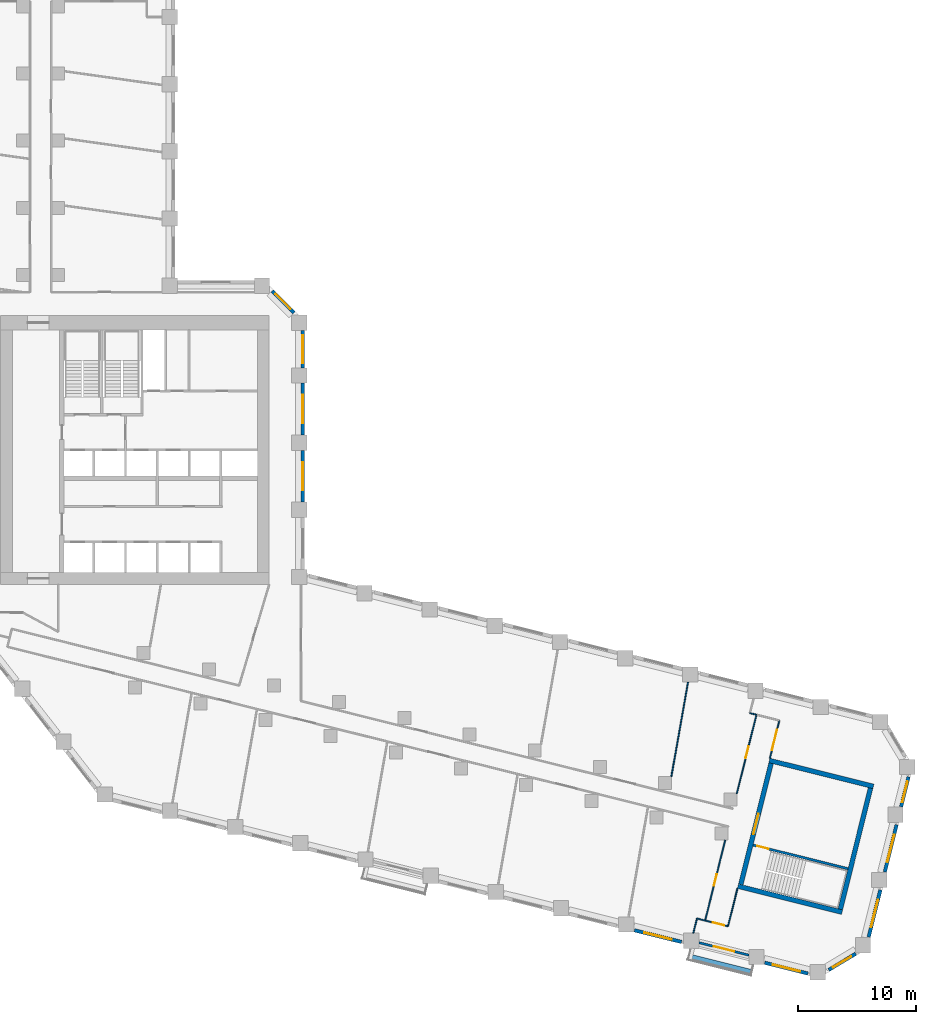
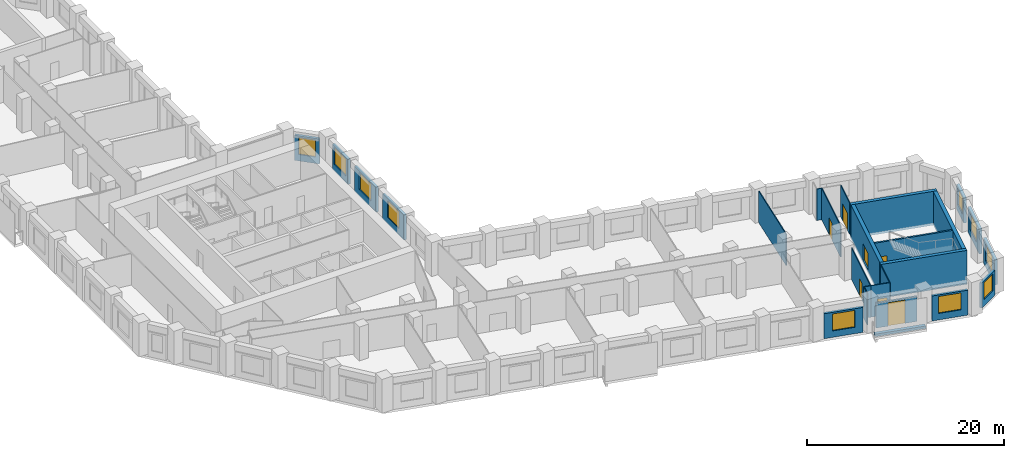
# One storey, part 6 of 10: 26 walls, 10 windows, 7 doors, 17 openings.
"""IFC4 building model written with IfcOpenShell, lengths in metres."""

from ifc_helpers import new_model, si_unit, direction, frame, frame_2d, origin, place, context, subcontext, project, spatial, rectangle, extrude, material, layer, layer_set, type_object, element, fill, save


model = new_model("IFC4")

# Units and contexts
model_context = context("Model", 3, precision=1e-05, world=origin(), true_north=direction((0.0, 1.0)))
body_context = subcontext(model_context, "Body", "Model", "MODEL_VIEW")
ifc_project = project(units=[si_unit("LENGTHUNIT", "METRE"), si_unit("AREAUNIT", "SQUARE_METRE"), si_unit("VOLUMEUNIT", "CUBIC_METRE"), si_unit("PLANEANGLEUNIT", "RADIAN"), si_unit("MASSUNIT", "GRAM", prefix="KILO")], contexts=[model_context])

# Site, building, storey
site_placement = place(None, origin())
site = spatial("IfcSite", under=ifc_project, at=site_placement, CompositionType="ELEMENT")
building_placement = place(site_placement, origin())
building = spatial("IfcBuilding", under=site, at=building_placement, Name="Meshkara Civic Tower", CompositionType="ELEMENT")
storey_placement = place(building_placement, frame((0.0, 0.0, 118.199951171875)))
storey = spatial("IfcBuildingStorey", under=building, at=storey_placement, Name="L26", CompositionType="ELEMENT", Elevation=118.199951171875)

# Wall, opening, door
ifc_material_1 = material(Name="Corridor wall 100")
ifc_layer_1 = layer(ifc_material_1, 0.10009765625)
ifc_layer_set_1 = layer_set([ifc_layer_1], Name="Corridor wall 100")
wall_type_1 = type_object("IfcWallType", Name="Corridor wall 100", PredefinedType="PARTITIONING", material=ifc_layer_set_1)
wall_1_placement = place(storey_placement, frame((67.79296875, -14.428955078125, 0.0), z_axis=(0.0, 0.0, 1.0), x_axis=(0.9702715884, -0.242018686767, 0.0)))
wall_1 = element("IfcWall", 1, at=wall_1_placement, inside=storey, type_object=wall_type_1, Name="L26-W024", PredefinedType="PARTITIONING", context=body_context, shape_type="SweptSolid", body=[
    extrude(rectangle(XDim=2.00048828125, YDim=0.10009765625, at=frame_2d((1.000244140625, 0.0))), origin(), (0.0, 0.0, 1.0), 3.900146484375),
])
opening_1_placement = place(wall_1_placement, frame((0.679931640625, 0.0, 0.0)))
opening_1 = element("IfcOpeningElement", 2, at=opening_1_placement, cuts=wall_1, Name="Opening L26-D001", PredefinedType="OPENING", context=body_context, shape_type="SweptSolid", body=[
    extrude(rectangle(XDim=1.0, YDim=2.10009765625, at=frame_2d((0.5, 1.050048828125))), frame((0.0, 0.06005859375, 0.0), z_axis=(0.0, -1.0, 0.0), x_axis=(1.0, 0.0, 0.0)), (0.0, 0.0, 1.0), 0.1201171875),
])
ifc_material_2 = material(Name="Door 1000 x 2100")
door_type_1 = type_object("IfcDoorType", Name="Door 1000 x 2100", OperationType="SINGLE_SWING_LEFT", PredefinedType="DOOR", material=ifc_material_2)
door_1_placement = place(opening_1_placement, origin())
door_1 = element("IfcDoor", 3, at=door_1_placement, inside=storey, type_object=door_type_1, Name="L26-D001", OperationType="SINGLE_SWING_LEFT", OverallHeight=2.10009765625, OverallWidth=1.0, PredefinedType="DOOR", context=body_context, shape_type="SweptSolid", body=[
    extrude(rectangle(XDim=1.0, YDim=2.10009765625, at=frame_2d((0.5, 1.050048828125))), frame((0.0, 0.02490234375, 0.0), z_axis=(0.0, -1.0, 0.0), x_axis=(1.0, 0.0, 0.0)), (0.0, 0.0, 1.0), 0.050048828125),
])
fill(opening_1, door_1)

wall_2_placement = place(storey_placement, frame((69.49609375, -7.60009765625, 0.0), z_axis=(0.0, 0.0, 1.0), x_axis=(-0.241988728544, -0.970279060507, 0.0)))
wall_2 = element("IfcWall", 4, at=wall_2_placement, inside=storey, type_object=wall_type_1, Name="L26-W025", PredefinedType="PARTITIONING", context=body_context, shape_type="SweptSolid", body=[
    extrude(rectangle(XDim=7.0380859375, YDim=0.10009765625, at=frame_2d((3.51904296875, 0.0))), origin(), (0.0, 0.0, 1.0), 3.900146484375),
])
opening_2_placement = place(wall_2_placement, frame((2.97998046875, 0.0, 0.0)))
opening_2 = element("IfcOpeningElement", 5, at=opening_2_placement, cuts=wall_2, Name="Opening L26-D002", PredefinedType="OPENING", context=body_context, shape_type="SweptSolid", body=[
    extrude(rectangle(XDim=1.0, YDim=2.10009765625, at=frame_2d((0.5, 1.050048828125))), frame((0.0, 0.06005859375, 0.0), z_axis=(0.0, -1.0, 0.0), x_axis=(1.0, 0.0, 0.0)), (0.0, 0.0, 1.0), 0.1201171875),
])
door_2_placement = place(opening_2_placement, origin())
door_2 = element("IfcDoor", 6, at=door_2_placement, inside=storey, type_object=door_type_1, Name="L26-D002", OperationType="SINGLE_SWING_RIGHT", OverallHeight=2.10009765625, OverallWidth=1.0, PredefinedType="DOOR", context=body_context, shape_type="SweptSolid", body=[
    extrude(rectangle(XDim=1.0, YDim=2.10009765625, at=frame_2d((0.5, 1.050048828125))), frame((0.0, 0.02490234375, 0.0), z_axis=(0.0, -1.0, 0.0), x_axis=(1.0, 0.0, 0.0)), (0.0, 0.0, 1.0), 0.050048828125),
])
fill(opening_2, door_2)

# Wall
wall_3_placement = place(storey_placement, frame((69.73388671875, -14.9130859375, 0.0), z_axis=(0.0, 0.0, 1.0), x_axis=(0.241839284064, 0.97031631991, 0.0)))
element("IfcWall", 7, at=wall_3_placement, inside=storey, type_object=wall_type_1, Name="L26-W026", PredefinedType="PARTITIONING", context=body_context, shape_type="SweptSolid", body=[
    extrude(rectangle(XDim=3.300048828125, YDim=0.10009765625, at=frame_2d((1.64990234375, 0.0))), origin(), (0.0, 0.0, 1.0), 3.900146484375),
])

# Wall, opening, door
wall_4_placement = place(storey_placement, frame((72.14794921875, 3.035888671875, 0.0), z_axis=(0.0, 0.0, 1.0), x_axis=(-0.241945347889, -0.970289878662, 0.0)))
wall_4 = element("IfcWall", 8, at=wall_4_placement, inside=storey, type_object=wall_type_1, Name="L26-W027", PredefinedType="PARTITIONING", context=body_context, shape_type="SweptSolid", body=[
    extrude(rectangle(XDim=6.91015625, YDim=0.10009765625, at=frame_2d((3.455078125, 0.0))), origin(), (0.0, 0.0, 1.0), 3.900146484375),
])
opening_3_placement = place(wall_4_placement, frame((2.780029296875, 0.0, 0.0)))
opening_3 = element("IfcOpeningElement", 9, at=opening_3_placement, cuts=wall_4, Name="Opening L26-D006", PredefinedType="OPENING", context=body_context, shape_type="SweptSolid", body=[
    extrude(rectangle(XDim=1.0, YDim=2.10009765625, at=frame_2d((0.5, 1.050048828125))), frame((0.0, 0.06005859375, 0.0), z_axis=(0.0, -1.0, 0.0), x_axis=(1.0, 0.0, 0.0)), (0.0, 0.0, 1.0), 0.1201171875),
])
door_3_placement = place(opening_3_placement, origin())
door_3 = element("IfcDoor", 10, at=door_3_placement, inside=storey, type_object=door_type_1, Name="L26-D006", OperationType="SINGLE_SWING_RIGHT", OverallHeight=2.10009765625, OverallWidth=1.0, PredefinedType="DOOR", context=body_context, shape_type="SweptSolid", body=[
    extrude(rectangle(XDim=1.0, YDim=2.10009765625, at=frame_2d((0.5, 1.050048828125))), frame((0.0, 0.02490234375, 0.0), z_axis=(0.0, -1.0, 0.0), x_axis=(1.0, 0.0, 0.0)), (0.0, 0.0, 1.0), 0.050048828125),
])
fill(opening_3, door_3)

wall_5_placement = place(storey_placement, frame((73.2900390625, -0.64990234375, 0.0), z_axis=(0.0, 0.0, 1.0), x_axis=(0.241786986316, 0.970329352977, 0.0)))
wall_5 = element("IfcWall", 11, at=wall_5_placement, inside=storey, type_object=wall_type_1, Name="L26-W028", PredefinedType="PARTITIONING", context=body_context, shape_type="SweptSolid", body=[
    extrude(rectangle(XDim=3.2998046875, YDim=0.10009765625, at=frame_2d((1.64990234375, 0.0))), origin(), (0.0, 0.0, 1.0), 3.900146484375),
])
opening_4_placement = place(wall_5_placement, frame((0.679931640625, 0.0, 0.0)))
opening_4 = element("IfcOpeningElement", 12, at=opening_4_placement, cuts=wall_5, Name="Opening L26-D010", PredefinedType="OPENING", context=body_context, shape_type="SweptSolid", body=[
    extrude(rectangle(XDim=1.800048828125, YDim=2.10009765625, at=frame_2d((0.89990234375, 1.050048828125))), frame((0.0, 0.06005859375, 0.0), z_axis=(0.0, -1.0, 0.0), x_axis=(1.0, 0.0, 0.0)), (0.0, 0.0, 1.0), 0.1201171875),
])
ifc_material_3 = material(Name="Door pair 1800 x 2100")
door_type_2 = type_object("IfcDoorType", Name="Door pair 1800 x 2100", OperationType="SINGLE_SWING_LEFT", PredefinedType="DOOR", material=ifc_material_3)
door_4_placement = place(opening_4_placement, origin())
door_4 = element("IfcDoor", 13, at=door_4_placement, inside=storey, type_object=door_type_2, Name="L26-D010", OperationType="DOUBLE_DOOR_SINGLE_SWING", OverallHeight=2.10009765625, OverallWidth=1.800048828125, PredefinedType="DOOR", context=body_context, shape_type="SweptSolid", body=[
    extrude(rectangle(XDim=1.800048828125, YDim=2.10009765625, at=frame_2d((0.89990234375, 1.050048828125))), frame((0.0, 0.02490234375, 0.0), z_axis=(0.0, -1.0, 0.0), x_axis=(1.0, 0.0, 0.0)), (0.0, 0.0, 1.0), 0.050048828125),
])
fill(opening_4, door_4)

# Wall, opening, window
ifc_material_4 = material(Name="Insulated infill panel with bronze anodised aluminium cladding", Category="aluminium")
ifc_layer_2 = layer(ifc_material_4, 0.300048828125)
ifc_layer_set_2 = layer_set([ifc_layer_2], Name="EXTERNAL INFILL WALL 300")
wall_type_2 = type_object("IfcWallType", Name="EXTERNAL INFILL WALL 300", PredefinedType="SOLIDWALL", material=ifc_layer_set_2)
wall_6_placement = place(storey_placement, frame((33.64990234375, 21.069091796875, 0.0), z_axis=(0.0, 0.0, 1.0), x_axis=(0.0, 1.0, 0.0)))
wall_6 = element("IfcWall", 14, at=wall_6_placement, inside=storey, type_object=wall_type_2, Name="External wall", PredefinedType="SOLIDWALL", context=body_context, shape_type="SweptSolid", body=[
    extrude(rectangle(XDim=4.39990234375, YDim=0.300048828125, at=frame_2d((2.199951171875, 0.0))), origin(), (0.0, 0.0, 1.0), 3.10009765625),
])
opening_5_placement = place(wall_6_placement, frame((1.0, 0.0, 0.800048828125)))
opening_5 = element("IfcOpeningElement", 15, at=opening_5_placement, cuts=wall_6, Name="Opening W7", PredefinedType="OPENING", context=body_context, shape_type="SweptSolid", body=[
    extrude(rectangle(XDim=2.39990234375, YDim=2.10009765625, at=frame_2d((1.199951171875, 1.050048828125))), frame((0.0, 0.159912109375, 0.0), z_axis=(0.0, -1.0, 0.0), x_axis=(1.0, 0.0, 0.0)), (0.0, 0.0, 1.0), 0.320068359375),
])
ifc_material_5 = material(Name="Tinted double glazing", Category="glass")
window_type_1 = type_object("IfcWindowType", Name="WINDOW 2400x2100", PartitioningType="DOUBLE_PANEL_VERTICAL", PredefinedType="WINDOW", material=ifc_material_5)
window_1_placement = place(opening_5_placement, origin())
window_1 = element("IfcWindow", 16, at=window_1_placement, inside=storey, type_object=window_type_1, Name="Window", OverallHeight=2.10009765625, OverallWidth=2.39990234375, PartitioningType="DOUBLE_PANEL_VERTICAL", PredefinedType="WINDOW", context=body_context, shape_type="SweptSolid", body=[
    extrude(rectangle(XDim=2.39990234375, YDim=2.10009765625, at=frame_2d((1.199951171875, 1.050048828125))), frame((0.0, 0.030029296875, 0.0), z_axis=(0.0, -1.0, 0.0), x_axis=(1.0, 0.0, 0.0)), (0.0, 0.0, 1.0), 0.06005859375),
])
fill(opening_5, window_1)

wall_7_placement = place(storey_placement, frame((33.64990234375, 26.76904296875, 0.0), z_axis=(0.0, 0.0, 1.0), x_axis=(0.0, 1.0, 0.0)))
wall_7 = element("IfcWall", 17, at=wall_7_placement, inside=storey, type_object=wall_type_2, Name="External wall", PredefinedType="SOLIDWALL", context=body_context, shape_type="SweptSolid", body=[
    extrude(rectangle(XDim=4.39990234375, YDim=0.300048828125, at=frame_2d((2.199951171875, 0.0))), origin(), (0.0, 0.0, 1.0), 3.10009765625),
])
opening_6_placement = place(wall_7_placement, frame((1.0, 0.0, 0.800048828125)))
opening_6 = element("IfcOpeningElement", 18, at=opening_6_placement, cuts=wall_7, Name="Opening W7", PredefinedType="OPENING", context=body_context, shape_type="SweptSolid", body=[
    extrude(rectangle(XDim=2.39990234375, YDim=2.10009765625, at=frame_2d((1.199951171875, 1.050048828125))), frame((0.0, 0.159912109375, 0.0), z_axis=(0.0, -1.0, 0.0), x_axis=(1.0, 0.0, 0.0)), (0.0, 0.0, 1.0), 0.320068359375),
])
window_2_placement = place(opening_6_placement, origin())
window_2 = element("IfcWindow", 19, at=window_2_placement, inside=storey, type_object=window_type_1, Name="Window", OverallHeight=2.10009765625, OverallWidth=2.39990234375, PartitioningType="DOUBLE_PANEL_VERTICAL", PredefinedType="WINDOW", context=body_context, shape_type="SweptSolid", body=[
    extrude(rectangle(XDim=2.39990234375, YDim=2.10009765625, at=frame_2d((1.199951171875, 1.050048828125))), frame((0.0, 0.030029296875, 0.0), z_axis=(0.0, -1.0, 0.0), x_axis=(1.0, 0.0, 0.0)), (0.0, 0.0, 1.0), 0.06005859375),
])
fill(opening_6, window_2)

wall_8_placement = place(storey_placement, frame((33.64990234375, 32.468994140625, 0.0), z_axis=(0.0, 0.0, 1.0), x_axis=(0.0, 1.0, 0.0)))
wall_8 = element("IfcWall", 20, at=wall_8_placement, inside=storey, type_object=wall_type_2, Name="External wall", PredefinedType="SOLIDWALL", context=body_context, shape_type="SweptSolid", body=[
    extrude(rectangle(XDim=3.175048828125, YDim=0.300048828125, at=frame_2d((1.58740234375, 0.0))), origin(), (0.0, 0.0, 1.0), 3.10009765625),
])
opening_7_placement = place(wall_8_placement, frame((0.387939453125, 0.0, 0.800048828125)))
opening_7 = element("IfcOpeningElement", 21, at=opening_7_placement, cuts=wall_8, Name="Opening W7", PredefinedType="OPENING", context=body_context, shape_type="SweptSolid", body=[
    extrude(rectangle(XDim=2.39990234375, YDim=2.10009765625, at=frame_2d((1.199951171875, 1.050048828125))), frame((0.0, 0.159912109375, 0.0), z_axis=(0.0, -1.0, 0.0), x_axis=(1.0, 0.0, 0.0)), (0.0, 0.0, 1.0), 0.320068359375),
])
window_3_placement = place(opening_7_placement, origin())
window_3 = element("IfcWindow", 22, at=window_3_placement, inside=storey, type_object=window_type_1, Name="Window", OverallHeight=2.10009765625, OverallWidth=2.39990234375, PartitioningType="DOUBLE_PANEL_VERTICAL", PredefinedType="WINDOW", context=body_context, shape_type="SweptSolid", body=[
    extrude(rectangle(XDim=2.39990234375, YDim=2.10009765625, at=frame_2d((1.199951171875, 1.050048828125))), frame((0.0, 0.030029296875, 0.0), z_axis=(0.0, -1.0, 0.0), x_axis=(1.0, 0.0, 0.0)), (0.0, 0.0, 1.0), 0.06005859375),
])
fill(opening_7, window_3)

wall_9_placement = place(storey_placement, frame((32.912109375, 37.156005859375, 0.0), z_axis=(0.0, 0.0, 1.0), x_axis=(-0.707153284542, 0.707060274772, 0.0)))
wall_9 = element("IfcWall", 23, at=wall_9_placement, inside=storey, type_object=wall_type_2, Name="External wall", PredefinedType="SOLIDWALL", context=body_context, shape_type="SweptSolid", body=[
    extrude(rectangle(XDim=2.625, YDim=0.300048828125, at=frame_2d((1.3125, 0.0))), origin(), (0.0, 0.0, 1.0), 3.10009765625),
])
opening_8_placement = place(wall_9_placement, frame((0.412109375, 0.0, 0.800048828125)))
opening_8 = element("IfcOpeningElement", 24, at=opening_8_placement, cuts=wall_9, Name="Opening W9", PredefinedType="OPENING", context=body_context, shape_type="SweptSolid", body=[
    extrude(rectangle(XDim=1.800048828125, YDim=2.10009765625, at=frame_2d((0.89990234375, 1.050048828125))), frame((0.0, 0.159912109375, 0.0), z_axis=(0.0, -1.0, 0.0), x_axis=(1.0, 0.0, 0.0)), (0.0, 0.0, 1.0), 0.320068359375),
])
ifc_material_6 = material(Name="Tinted double glazing", Category="glass")
window_type_2 = type_object("IfcWindowType", Name="WINDOW 1800x2100", PartitioningType="DOUBLE_PANEL_VERTICAL", PredefinedType="WINDOW", material=ifc_material_6)
window_4_placement = place(opening_8_placement, origin())
window_4 = element("IfcWindow", 25, at=window_4_placement, inside=storey, type_object=window_type_2, Name="Window", OverallHeight=2.10009765625, OverallWidth=1.800048828125, PartitioningType="DOUBLE_PANEL_VERTICAL", PredefinedType="WINDOW", context=body_context, shape_type="SweptSolid", body=[
    extrude(rectangle(XDim=1.800048828125, YDim=2.10009765625, at=frame_2d((0.89990234375, 1.050048828125))), frame((0.0, 0.030029296875, 0.0), z_axis=(0.0, -1.0, 0.0), x_axis=(1.0, 0.0, 0.0)), (0.0, 0.0, 1.0), 0.06005859375),
])
fill(opening_8, window_4)

wall_10_placement = place(storey_placement, frame((61.7890625, -15.2509765625, 0.0), z_axis=(0.0, 0.0, 1.0), x_axis=(0.970323340708, -0.24181111322, 0.0)))
wall_10 = element("IfcWall", 26, at=wall_10_placement, inside=storey, type_object=wall_type_2, Name="External wall", PredefinedType="SOLIDWALL", context=body_context, shape_type="SweptSolid", body=[
    extrude(rectangle(XDim=4.123291015625, YDim=0.300048828125, at=frame_2d((2.0615234375, 0.0))), origin(), (0.0, 0.0, 1.0), 3.10009765625),
])
opening_9_placement = place(wall_10_placement, frame((0.862060546875, 0.0, 0.800048828125)))
opening_9 = element("IfcOpeningElement", 27, at=opening_9_placement, cuts=wall_10, Name="Opening W7", PredefinedType="OPENING", context=body_context, shape_type="SweptSolid", body=[
    extrude(rectangle(XDim=2.39990234375, YDim=2.10009765625, at=frame_2d((1.199951171875, 1.050048828125))), frame((0.0, 0.159912109375, 0.0), z_axis=(0.0, -1.0, 0.0), x_axis=(1.0, 0.0, 0.0)), (0.0, 0.0, 1.0), 0.320068359375),
])
window_5_placement = place(opening_9_placement, origin())
window_5 = element("IfcWindow", 28, at=window_5_placement, inside=storey, type_object=window_type_1, Name="Window", OverallHeight=2.10009765625, OverallWidth=2.39990234375, PartitioningType="DOUBLE_PANEL_VERTICAL", PredefinedType="WINDOW", context=body_context, shape_type="SweptSolid", body=[
    extrude(rectangle(XDim=2.39990234375, YDim=2.10009765625, at=frame_2d((1.199951171875, 1.050048828125))), frame((0.0, 0.030029296875, 0.0), z_axis=(0.0, -1.0, 0.0), x_axis=(1.0, 0.0, 0.0)), (0.0, 0.0, 1.0), 0.06005859375),
])
fill(opening_9, window_5)

wall_11_placement = place(storey_placement, frame((72.85009765625, -18.009033203125, 0.0), z_axis=(0.0, 0.0, 1.0), x_axis=(0.970309295155, -0.241867467295, 0.0)))
wall_11 = element("IfcWall", 29, at=wall_11_placement, inside=storey, type_object=wall_type_2, Name="External wall", PredefinedType="SOLIDWALL", context=body_context, shape_type="SweptSolid", body=[
    extrude(rectangle(XDim=3.783203125, YDim=0.300048828125, at=frame_2d((1.8916015625, 0.0))), origin(), (0.0, 0.0, 1.0), 3.10009765625),
])
opening_10_placement = place(wall_11_placement, frame((0.69189453125, 0.0, 0.800048828125)))
opening_10 = element("IfcOpeningElement", 30, at=opening_10_placement, cuts=wall_11, Name="Opening W7", PredefinedType="OPENING", context=body_context, shape_type="SweptSolid", body=[
    extrude(rectangle(XDim=2.39990234375, YDim=2.10009765625, at=frame_2d((1.199951171875, 1.050048828125))), frame((0.0, 0.159912109375, 0.0), z_axis=(0.0, -1.0, 0.0), x_axis=(1.0, 0.0, 0.0)), (0.0, 0.0, 1.0), 0.320068359375),
])
window_6_placement = place(opening_10_placement, origin())
window_6 = element("IfcWindow", 31, at=window_6_placement, inside=storey, type_object=window_type_1, Name="Window", OverallHeight=2.10009765625, OverallWidth=2.39990234375, PartitioningType="DOUBLE_PANEL_VERTICAL", PredefinedType="WINDOW", context=body_context, shape_type="SweptSolid", body=[
    extrude(rectangle(XDim=2.39990234375, YDim=2.10009765625, at=frame_2d((1.199951171875, 1.050048828125))), frame((0.0, 0.030029296875, 0.0), z_axis=(0.0, -1.0, 0.0), x_axis=(1.0, 0.0, 0.0)), (0.0, 0.0, 1.0), 0.06005859375),
])
fill(opening_10, window_6)

wall_12_placement = place(storey_placement, frame((78.277099609375, -18.62109375, 0.0), z_axis=(0.0, 0.0, 1.0), x_axis=(0.857066424989, 0.515205923061, 0.0)))
wall_12 = element("IfcWall", 32, at=wall_12_placement, inside=storey, type_object=wall_type_2, Name="External wall", PredefinedType="SOLIDWALL", context=body_context, shape_type="SweptSolid", body=[
    extrude(rectangle(XDim=2.6787109375, YDim=0.300048828125, at=frame_2d((1.33935546875, 0.0))), origin(), (0.0, 0.0, 1.0), 3.10009765625),
])
opening_11_placement = place(wall_12_placement, frame((0.43896484375, 0.0, 0.800048828125)))
opening_11 = element("IfcOpeningElement", 33, at=opening_11_placement, cuts=wall_12, Name="Opening W9", PredefinedType="OPENING", context=body_context, shape_type="SweptSolid", body=[
    extrude(rectangle(XDim=1.800048828125, YDim=2.10009765625, at=frame_2d((0.89990234375, 1.050048828125))), frame((0.0, 0.159912109375, 0.0), z_axis=(0.0, -1.0, 0.0), x_axis=(1.0, 0.0, 0.0)), (0.0, 0.0, 1.0), 0.320068359375),
])
window_7_placement = place(opening_11_placement, origin())
window_7 = element("IfcWindow", 34, at=window_7_placement, inside=storey, type_object=window_type_2, Name="Window", OverallHeight=2.10009765625, OverallWidth=1.800048828125, PartitioningType="DOUBLE_PANEL_VERTICAL", PredefinedType="WINDOW", context=body_context, shape_type="SweptSolid", body=[
    extrude(rectangle(XDim=1.800048828125, YDim=2.10009765625, at=frame_2d((0.89990234375, 1.050048828125))), frame((0.0, 0.030029296875, 0.0), z_axis=(0.0, -1.0, 0.0), x_axis=(1.0, 0.0, 0.0)), (0.0, 0.0, 1.0), 0.06005859375),
])
fill(opening_11, window_7)

wall_13_placement = place(storey_placement, frame((81.6650390625, -15.83203125, 0.0), z_axis=(0.0, 0.0, 1.0), x_axis=(0.241978480223, 0.970281616392, 0.0)))
wall_13 = element("IfcWall", 35, at=wall_13_placement, inside=storey, type_object=wall_type_2, Name="External wall", PredefinedType="SOLIDWALL", context=body_context, shape_type="SweptSolid", body=[
    extrude(rectangle(XDim=4.12451171875, YDim=0.300048828125, at=frame_2d((2.062255859375, 0.0))), origin(), (0.0, 0.0, 1.0), 3.10009765625),
])
opening_12_placement = place(wall_13_placement, frame((0.862060546875, 0.0, 0.800048828125)))
opening_12 = element("IfcOpeningElement", 36, at=opening_12_placement, cuts=wall_13, Name="Opening W7", PredefinedType="OPENING", context=body_context, shape_type="SweptSolid", body=[
    extrude(rectangle(XDim=2.39990234375, YDim=2.10009765625, at=frame_2d((1.199951171875, 1.050048828125))), frame((0.0, 0.159912109375, 0.0), z_axis=(0.0, -1.0, 0.0), x_axis=(1.0, 0.0, 0.0)), (0.0, 0.0, 1.0), 0.320068359375),
])
window_8_placement = place(opening_12_placement, origin())
window_8 = element("IfcWindow", 37, at=window_8_placement, inside=storey, type_object=window_type_1, Name="Window", OverallHeight=2.10009765625, OverallWidth=2.39990234375, PartitioningType="DOUBLE_PANEL_VERTICAL", PredefinedType="WINDOW", context=body_context, shape_type="SweptSolid", body=[
    extrude(rectangle(XDim=2.39990234375, YDim=2.10009765625, at=frame_2d((1.199951171875, 1.050048828125))), frame((0.0, 0.030029296875, 0.0), z_axis=(0.0, -1.0, 0.0), x_axis=(1.0, 0.0, 0.0)), (0.0, 0.0, 1.0), 0.06005859375),
])
fill(opening_12, window_8)

wall_14_placement = place(storey_placement, frame((83.0439453125, -10.301025390625, 0.0), z_axis=(0.0, 0.0, 1.0), x_axis=(0.242034083076, 0.970267747908, 0.0)))
wall_14 = element("IfcWall", 38, at=wall_14_placement, inside=storey, type_object=wall_type_2, Name="External wall", PredefinedType="SOLIDWALL", context=body_context, shape_type="SweptSolid", body=[
    extrude(rectangle(XDim=4.12353515625, YDim=0.300048828125, at=frame_2d((2.061767578125, 0.0))), origin(), (0.0, 0.0, 1.0), 3.10009765625),
])
opening_13_placement = place(wall_14_placement, frame((0.862060546875, 0.0, 0.800048828125)))
opening_13 = element("IfcOpeningElement", 39, at=opening_13_placement, cuts=wall_14, Name="Opening W7", PredefinedType="OPENING", context=body_context, shape_type="SweptSolid", body=[
    extrude(rectangle(XDim=2.39990234375, YDim=2.10009765625, at=frame_2d((1.199951171875, 1.050048828125))), frame((0.0, 0.159912109375, 0.0), z_axis=(0.0, -1.0, 0.0), x_axis=(1.0, 0.0, 0.0)), (0.0, 0.0, 1.0), 0.320068359375),
])
window_9_placement = place(opening_13_placement, origin())
window_9 = element("IfcWindow", 40, at=window_9_placement, inside=storey, type_object=window_type_1, Name="Window", OverallHeight=2.10009765625, OverallWidth=2.39990234375, PartitioningType="DOUBLE_PANEL_VERTICAL", PredefinedType="WINDOW", context=body_context, shape_type="SweptSolid", body=[
    extrude(rectangle(XDim=2.39990234375, YDim=2.10009765625, at=frame_2d((1.199951171875, 1.050048828125))), frame((0.0, 0.030029296875, 0.0), z_axis=(0.0, -1.0, 0.0), x_axis=(1.0, 0.0, 0.0)), (0.0, 0.0, 1.0), 0.06005859375),
])
fill(opening_13, window_9)

wall_15_placement = place(storey_placement, frame((84.423095703125, -4.77099609375, 0.0), z_axis=(0.0, 0.0, 1.0), x_axis=(0.241941668773, 0.970290796056, 0.0)))
wall_15 = element("IfcWall", 41, at=wall_15_placement, inside=storey, type_object=wall_type_2, Name="External wall", PredefinedType="SOLIDWALL", context=body_context, shape_type="SweptSolid", body=[
    extrude(rectangle(XDim=2.611572265625, YDim=0.300048828125, at=frame_2d((1.3056640625, 0.0))), origin(), (0.0, 0.0, 1.0), 3.10009765625),
])
opening_14_placement = place(wall_15_placement, frame((0.406005859375, 0.0, 0.800048828125)))
opening_14 = element("IfcOpeningElement", 42, at=opening_14_placement, cuts=wall_15, Name="Opening W9", PredefinedType="OPENING", context=body_context, shape_type="SweptSolid", body=[
    extrude(rectangle(XDim=1.800048828125, YDim=2.10009765625, at=frame_2d((0.89990234375, 1.050048828125))), frame((0.0, 0.159912109375, 0.0), z_axis=(0.0, -1.0, 0.0), x_axis=(1.0, 0.0, 0.0)), (0.0, 0.0, 1.0), 0.320068359375),
])
window_10_placement = place(opening_14_placement, origin())
window_10 = element("IfcWindow", 43, at=window_10_placement, inside=storey, type_object=window_type_2, Name="Window", OverallHeight=2.10009765625, OverallWidth=1.800048828125, PartitioningType="DOUBLE_PANEL_VERTICAL", PredefinedType="WINDOW", context=body_context, shape_type="SweptSolid", body=[
    extrude(rectangle(XDim=1.800048828125, YDim=2.10009765625, at=frame_2d((0.89990234375, 1.050048828125))), frame((0.0, 0.030029296875, 0.0), z_axis=(0.0, -1.0, 0.0), x_axis=(1.0, 0.0, 0.0)), (0.0, 0.0, 1.0), 0.06005859375),
])
fill(opening_14, window_10)

# Walls
ifc_material_7 = material(Name="Concrete C70", Category="concrete")
ifc_layer_3 = layer(ifc_material_7, 0.39990234375)
ifc_layer_set_3 = layer_set([ifc_layer_3], Name="End core ring wall 400 C70")
wall_type_3 = type_object("IfcWallType", Name="End core ring wall 400 C70", PredefinedType="SHEAR", material=ifc_layer_set_3)
for number, where, z_axis, x_axis, name in (
    (44, (70.580078125, -11.51708984375, -0.300048828125), (0.0, 0.0, 1.0), (0.970285938441, -0.241961149081, 0.0), "L26-C031"),
    (45, (73.240966796875, -0.843994140625, -0.300048828125), (0.0, 0.0, 1.0), (0.970312696888, -0.241853820019, 0.0), "L26-C032"),
):
    element("IfcWall", number, at=place(storey_placement, frame(where, z_axis=z_axis, x_axis=x_axis)), inside=storey, type_object=wall_type_3, Name=name, PredefinedType="SHEAR", context=body_context, shape_type="SweptSolid", body=[
        extrude(rectangle(XDim=9.100341796875, YDim=0.39990234375, at=frame_2d((4.55029296875, 0.0))), origin(), (0.0, 0.0, 1.0), 4.2001953125),
    ])

# Wall, opening, door
wall_16_placement = place(storey_placement, frame((70.822998046875, -11.37109375, -0.300048828125), z_axis=(0.0, 0.0, 1.0), x_axis=(0.241885246693, 0.97030486314, 0.0)))
wall_16 = element("IfcWall", 46, at=wall_16_placement, inside=storey, type_object=wall_type_3, Name="L26-C033", PredefinedType="SHEAR", context=body_context, shape_type="SweptSolid", body=[
    extrude(rectangle(XDim=10.599853515625, YDim=0.39990234375, at=frame_2d((5.2998046875, 0.0))), origin(), (0.0, 0.0, 1.0), 4.2001953125),
])
opening_15_placement = place(wall_16_placement, frame((4.39990234375, 0.0, 0.300048828125)))
opening_15 = element("IfcOpeningElement", 47, at=opening_15_placement, cuts=wall_16, Name="Opening L26-K202", PredefinedType="OPENING", context=body_context, shape_type="SweptSolid", body=[
    extrude(rectangle(XDim=1.800048828125, YDim=2.10009765625, at=frame_2d((0.89990234375, 1.050048828125))), frame((0.0, 0.2099609375, 0.0), z_axis=(0.0, -1.0, 0.0), x_axis=(1.0, 0.0, 0.0)), (0.0, 0.0, 1.0), 0.419921875),
])
ifc_material_8 = material(Name="Fire-rated door leaf in steel frame", Category="steel")
door_type_3 = type_object("IfcDoorType", Name="Core double door 1800 EI 60", OperationType="DOUBLE_DOOR_SINGLE_SWING", PredefinedType="DOOR", material=ifc_material_8)
door_5_placement = place(opening_15_placement, origin())
door_5 = element("IfcDoor", 48, at=door_5_placement, inside=storey, type_object=door_type_3, Name="L26-K202", OperationType="DOUBLE_DOOR_SINGLE_SWING", OverallHeight=2.10009765625, OverallWidth=1.800048828125, PredefinedType="DOOR", context=body_context, shape_type="SweptSolid", body=[
    extrude(rectangle(XDim=1.800048828125, YDim=2.10009765625, at=frame_2d((0.89990234375, 1.050048828125))), frame((0.0, 0.02490234375, 0.0), z_axis=(0.0, -1.0, 0.0), x_axis=(1.0, 0.0, 0.0)), (0.0, 0.0, 1.0), 0.050048828125),
])
fill(opening_15, door_5)

# Wall
wall_17_placement = place(storey_placement, frame((79.263916015625, -13.47607421875, -0.300048828125), z_axis=(0.0, 0.0, 1.0), x_axis=(0.241993665753, 0.970277829148, 0.0)))
element("IfcWall", 49, at=wall_17_placement, inside=storey, type_object=wall_type_3, Name="L26-C034", PredefinedType="SHEAR", context=body_context, shape_type="SweptSolid", body=[
    extrude(rectangle(XDim=10.60009765625, YDim=0.39990234375, at=frame_2d((5.300048828125, 0.0))), origin(), (0.0, 0.0, 1.0), 4.2001953125),
])

# Wall, opening, door
ifc_material_9 = material(Name="Insulated infill panel with bronze anodised aluminium cladding", Category="aluminium")
ifc_layer_4 = layer(ifc_material_9, 0.199951171875)
ifc_layer_set_4 = layer_set([ifc_layer_4], Name="LOGGIA BACK WALL 200")
wall_type_4 = type_object("IfcWallType", Name="LOGGIA BACK WALL 200", PredefinedType="SOLIDWALL", material=ifc_layer_set_4)
wall_18_placement = place(storey_placement, frame((67.277099609375, -16.31005859375, 0.0), z_axis=(0.0, 0.0, 1.0), x_axis=(0.970293811216, -0.241929576357, 0.0)))
wall_18 = element("IfcWall", 50, at=wall_18_placement, inside=storey, type_object=wall_type_4, Name="Loggia wall", PredefinedType="SOLIDWALL", context=body_context, shape_type="SweptSolid", body=[
    extrude(rectangle(XDim=4.360595703125, YDim=0.199951171875, at=frame_2d((2.18017578125, 0.0))), origin(), (0.0, 0.0, 1.0), 3.10009765625),
])
opening_16_placement = place(wall_18_placement, frame((1.280029296875, 0.0, 0.0)))
opening_16 = element("IfcOpeningElement", 51, at=opening_16_placement, cuts=wall_18, Name="Opening L26-L003", PredefinedType="OPENING", context=body_context, shape_type="SweptSolid", body=[
    extrude(rectangle(XDim=1.800048828125, YDim=2.89990234375, at=frame_2d((0.89990234375, 1.449951171875))), frame((0.0, 0.10986328125, 0.0), z_axis=(0.0, -1.0, 0.0), x_axis=(1.0, 0.0, 0.0)), (0.0, 0.0, 1.0), 0.219970703125),
])
ifc_material_10 = material(Name="Tinted double glazing", Category="glass")
door_type_4 = type_object("IfcDoorType", Name="LOGGIA DOOR 1800x2900", OperationType="DOUBLE_DOOR_SINGLE_SWING", PredefinedType="DOOR", material=ifc_material_10)
door_6_placement = place(opening_16_placement, origin())
door_6 = element("IfcDoor", 52, at=door_6_placement, inside=storey, type_object=door_type_4, Name="L26-L003", OperationType="DOUBLE_DOOR_SINGLE_SWING", OverallHeight=2.89990234375, OverallWidth=1.800048828125, PredefinedType="DOOR", context=body_context, shape_type="SweptSolid", body=[
    extrude(rectangle(XDim=1.800048828125, YDim=2.89990234375, at=frame_2d((0.89990234375, 1.449951171875))), frame((0.0, 0.02490234375, 0.0), z_axis=(0.0, -1.0, 0.0), x_axis=(1.0, 0.0, 0.0)), (0.0, 0.0, 1.0), 0.050048828125),
])
fill(opening_16, door_6)

# Walls
ifc_material_11 = material(Name="Concrete C40", Category="concrete")
ifc_layer_5 = layer(ifc_material_11, 0.39990234375)
ifc_layer_set_5 = layer_set([ifc_layer_5], Name="PLANTER TRAY")
wall_type_5 = type_object("IfcWallType", Name="PLANTER TRAY", PredefinedType="SOLIDWALL", material=ifc_layer_set_5)
wall_19_placement = place(storey_placement, frame((66.469970703125, -17.47900390625, 0.0), z_axis=(0.0, 0.0, 1.0), x_axis=(0.970289679319, -0.241946147329, 0.0)))
element("IfcWall", 53, at=wall_19_placement, inside=storey, type_object=wall_type_5, Name="Planter", PredefinedType="SOLIDWALL", context=body_context, shape_type="SweptSolid", body=[
    extrude(rectangle(XDim=5.360107421875, YDim=0.39990234375, at=frame_2d((2.68017578125, 0.0))), origin(), (0.0, 0.0, 1.0), 0.300048828125),
])
ifc_material_12 = material(Name="Partition 100")
ifc_layer_6 = layer(ifc_material_12, 0.10009765625)
ifc_layer_set_6 = layer_set([ifc_layer_6], Name="Partition 100")
wall_type_6 = type_object("IfcWallType", Name="Partition 100", PredefinedType="PARTITIONING", material=ifc_layer_set_6)
wall_20_placement = place(storey_placement, frame((64.927001953125, -2.2109375, 0.0), z_axis=(0.0, 0.0, 1.0), x_axis=(0.17370309897, 0.984798067326, 0.0)))
element("IfcWall", 54, at=wall_20_placement, inside=storey, type_object=wall_type_6, Name="L26-W049", PredefinedType="PARTITIONING", context=body_context, shape_type="SweptSolid", body=[
    extrude(rectangle(XDim=8.12939453125, YDim=0.10009765625, at=frame_2d((4.064697265625, 0.0))), origin(), (0.0, 0.0, 1.0), 3.900146484375),
])
wall_21_placement = place(storey_placement, frame((66.7890625, -15.498046875, 0.0), z_axis=(0.0, 0.0, 1.0), x_axis=(0.242221476086, 0.970220983345, 0.0)))
element("IfcWall", 55, at=wall_21_placement, inside=storey, type_object=wall_type_6, Name="L26-W050", PredefinedType="PARTITIONING", context=body_context, shape_type="SweptSolid", body=[
    extrude(rectangle(XDim=1.280029296875, YDim=0.10009765625, at=frame_2d((0.64013671875, 0.0))), origin(), (0.0, 0.0, 1.0), 3.900146484375),
])
wall_22_placement = place(storey_placement, frame((67.09912109375, -14.256103515625, 0.0), z_axis=(0.0, 0.0, 1.0), x_axis=(0.970361718061, -0.24165706305, 0.0)))
element("IfcWall", 56, at=wall_22_placement, inside=storey, type_object=wall_type_6, Name="L26-W051", PredefinedType="PARTITIONING", context=body_context, shape_type="SweptSolid", body=[
    extrude(rectangle(XDim=0.71923828125, YDim=0.10009765625, at=frame_2d((0.359619140625, 0.0))), origin(), (0.0, 0.0, 1.0), 3.900146484375),
])
wall_23_placement = place(storey_placement, frame((72.152099609375, 3.034912109375, 0.0), z_axis=(0.0, 0.0, 1.0), x_axis=(-0.97039125345, 0.241538434265, 0.0)))
element("IfcWall", 57, at=wall_23_placement, inside=storey, type_object=wall_type_6, Name="L26-W053", PredefinedType="PARTITIONING", context=body_context, shape_type="SweptSolid", body=[
    extrude(rectangle(XDim=0.576171875, YDim=0.10009765625, at=frame_2d((0.2880859375, 0.0))), origin(), (0.0, 0.0, 1.0), 3.900146484375),
])

# Wall, opening, door
ifc_material_13 = material(Name="Concrete C40/50", Category="concrete")
ifc_layer_7 = layer(ifc_material_13, 0.199951171875)
ifc_layer_set_7 = layer_set([ifc_layer_7], Name="Stair enclosure wall 200 C40/50")
wall_type_7 = type_object("IfcWallType", Name="Stair enclosure wall 200 C40/50", PredefinedType="SOLIDWALL", material=ifc_layer_set_7)
wall_24_placement = place(storey_placement, frame((71.864013671875, -8.02392578125, 0.0), z_axis=(0.0, 0.0, 1.0), x_axis=(0.970289402158, -0.241947258837, 0.0)))
wall_24 = element("IfcWall", 58, at=wall_24_placement, inside=storey, type_object=wall_type_7, Name="L26-C035", PredefinedType="SOLIDWALL", context=body_context, shape_type="SweptSolid", body=[
    extrude(rectangle(XDim=8.299560546875, YDim=0.199951171875, at=frame_2d((4.14990234375, 0.0))), origin(), (0.0, 0.0, 1.0), 3.900146484375),
])
opening_17_placement = place(wall_24_placement, frame((0.35009765625, 0.0, 0.0)))
opening_17 = element("IfcOpeningElement", 59, at=opening_17_placement, cuts=wall_24, Name="Opening L26-K201", PredefinedType="OPENING", context=body_context, shape_type="SweptSolid", body=[
    extrude(rectangle(XDim=1.0, YDim=2.10009765625, at=frame_2d((0.5, 1.050048828125))), frame((0.0, 0.10986328125, 0.0), z_axis=(0.0, -1.0, 0.0), x_axis=(1.0, 0.0, 0.0)), (0.0, 0.0, 1.0), 0.219970703125),
])
ifc_material_14 = material(Name="Fire-rated door leaf in steel frame", Category="steel")
door_type_5 = type_object("IfcDoorType", Name="Stair door 1000 EI 120", OperationType="SINGLE_SWING_LEFT", PredefinedType="DOOR", material=ifc_material_14)
door_7_placement = place(opening_17_placement, origin())
door_7 = element("IfcDoor", 60, at=door_7_placement, inside=storey, type_object=door_type_5, Name="L26-K201", OperationType="SINGLE_SWING_LEFT", OverallHeight=2.10009765625, OverallWidth=1.0, PredefinedType="DOOR", context=body_context, shape_type="SweptSolid", body=[
    extrude(rectangle(XDim=1.0, YDim=2.10009765625, at=frame_2d((0.5, 1.050048828125))), frame((0.0, 0.02490234375, 0.0), z_axis=(0.0, -1.0, 0.0), x_axis=(1.0, 0.0, 0.0)), (0.0, 0.0, 1.0), 0.050048828125),
])
fill(opening_17, door_7)

save(model, "model.ifc")
